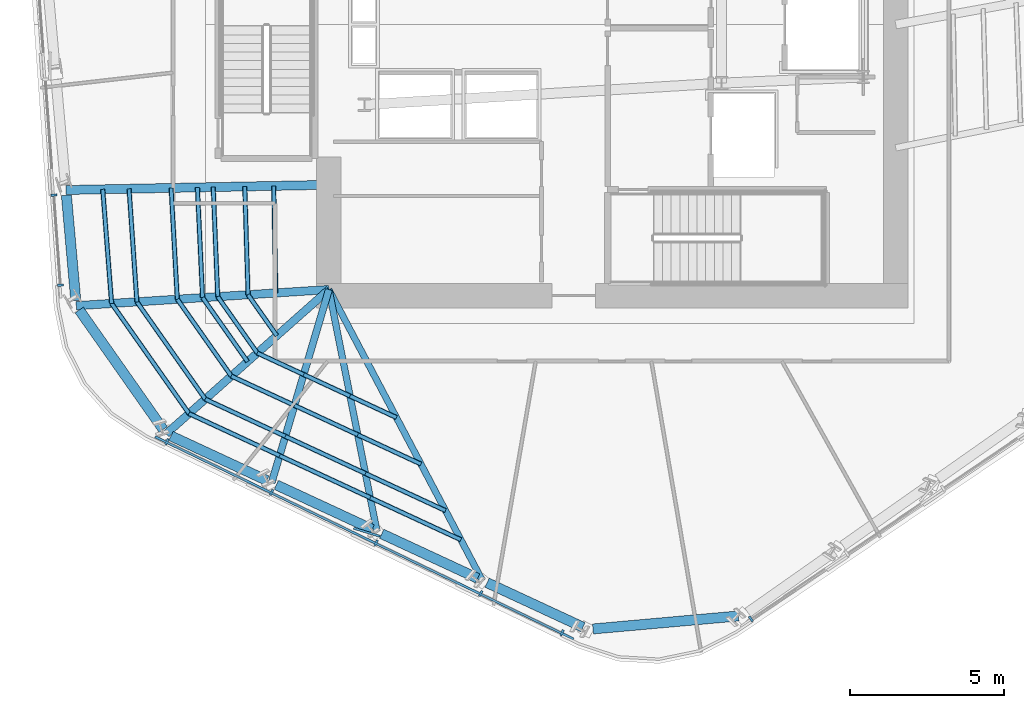
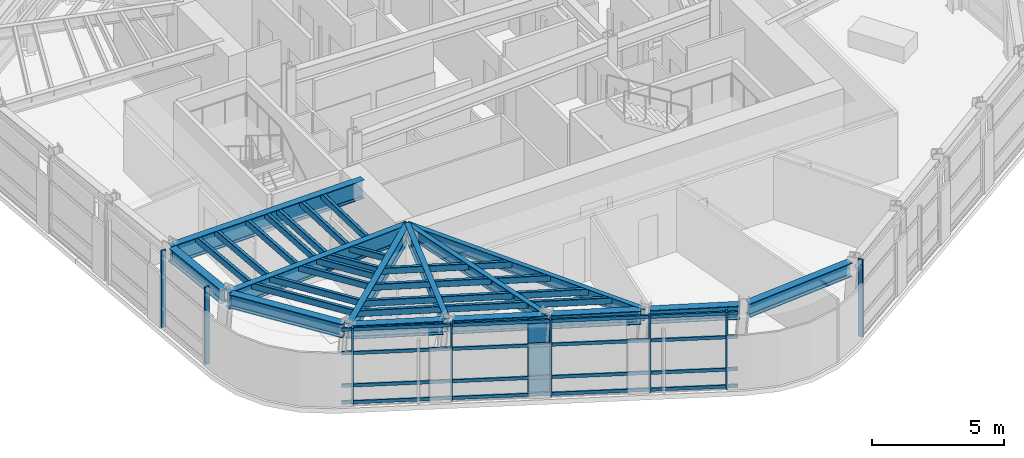
# One storey, part 2 of 15: 38 members, 13 beams, 3 elements without a shape of their own.
"""IFC4 building model written with IfcOpenShell, lengths in metres."""

import ifcopenshell
import ifcopenshell.guid

model = None  # the IFC model being written
_history = None  # IfcOwnerHistory: only IFC2X3 demands one
_inside = {}  # id of a spatial element -> (the spatial element, [elements in it])
_under = {}  # id of a project, library or spatial element -> (it, [spatial elements below it])
_declared = {}  # id of a project -> (the project, [libraries it declares])
_typed = {}  # id of a type object -> (the type object, [elements of that type])
_made_of = {}  # id of a material, layer set ... -> (it, [elements and type objects made of it])


def new_model(schema):
    """Start an empty IFC model of exactly this schema.

    Asked for "IFC4X3", IfcOpenShell would pick the latest addendum, in which some entities
    have other attributes; the version numbers below select the first issue.
    IFC2X3 requires an IfcOwnerHistory on every rooted entity: one is made here for all.
    """
    global model, _history
    if schema == "IFC4X3":
        model = ifcopenshell.file(schema_version=(4, 3, 0, 0))
    else:
        model = ifcopenshell.file(schema=schema)
    _inside.clear()
    _under.clear()
    _declared.clear()
    _typed.clear()
    _made_of.clear()
    _history = None
    if model.schema == "IFC2X3":
        org = make("IfcOrganization", Name="unknown")
        user = make(
            "IfcPersonAndOrganization",
            ThePerson=make("IfcPerson", FamilyName="unknown"),
            TheOrganization=org,
        )
        app = make(
            "IfcApplication",
            ApplicationDeveloper=org,
            Version="unknown",
            ApplicationFullName="unknown",
            ApplicationIdentifier="unknown",
        )
        _history = make(
            "IfcOwnerHistory",
            OwningUser=user,
            OwningApplication=app,
            ChangeAction="ADDED",
            CreationDate=0,
        )
    return model


def make(cls, **values):
    """One entity of the class cls with the attributes given. An attribute that is None is left unset."""
    return model.create_entity(
        cls, **{name: value for name, value in values.items() if value is not None}
    )


def rooted(cls, **values):
    """An entity with a GlobalId (a new one), such as an element, a storey or a relation."""
    return make(cls, GlobalId=ifcopenshell.guid.new(), OwnerHistory=_history, **values)


def si_unit(unit_type, name, prefix=None):
    """IfcSIUnit, for example si_unit("LENGTHUNIT", "METRE", prefix="MILLI")."""
    return make("IfcSIUnit", UnitType=unit_type, Prefix=prefix, Name=name)


def assignment(units):
    """IfcUnitAssignment: the units of a project."""
    return None if units is None else make("IfcUnitAssignment", Units=units)


def point(xyz):
    """IfcCartesianPoint."""
    return None if xyz is None else make("IfcCartesianPoint", Coordinates=xyz)


def direction(xyz):
    """IfcDirection."""
    return None if xyz is None else make("IfcDirection", DirectionRatios=xyz)


def frame(location, z_axis=None, x_axis=None):
    """IfcAxis2Placement3D, a coordinate frame: its origin and axes. An axis left out is left unset."""
    return make(
        "IfcAxis2Placement3D",
        Location=point(location),
        Axis=direction(z_axis),
        RefDirection=direction(x_axis),
    )


def frame_2d(location, x_axis=None):
    """IfcAxis2Placement2D, a coordinate frame in the plane: its origin and x axis."""
    return make(
        "IfcAxis2Placement2D", Location=point(location), RefDirection=direction(x_axis)
    )


def origin():
    """The frame at (0, 0, 0) with its axes left unset."""
    return frame((0.0, 0.0, 0.0))


def origin_2d():
    """The frame at (0, 0) in the plane with its x axis left unset."""
    return frame_2d((0.0, 0.0))


def place(relative_to, where):
    """IfcLocalPlacement: puts the frame where relative to a parent placement (None: the world)."""
    return make(
        "IfcLocalPlacement", PlacementRelTo=relative_to, RelativePlacement=where
    )


def context(
    kind, dimensions, precision=None, world=None, true_north=None, identifier=None
):
    """IfcGeometricRepresentationContext, for example the 3D "Model" context."""
    return make(
        "IfcGeometricRepresentationContext",
        ContextIdentifier=identifier,
        ContextType=kind,
        CoordinateSpaceDimension=dimensions,
        Precision=precision,
        WorldCoordinateSystem=world,
        TrueNorth=true_north,
    )


def subcontext(parent, identifier, kind, view, scale=None):
    """IfcGeometricRepresentationSubContext, for example "Body" below "Model"."""
    return make(
        "IfcGeometricRepresentationSubContext",
        ContextIdentifier=identifier,
        ContextType=kind,
        ParentContext=parent,
        TargetScale=scale,
        TargetView=view,
    )


def project(units=None, contexts=None):
    """IfcProject with its units and contexts."""
    return rooted(
        "IfcProject",
        Name="project",
        RepresentationContexts=contexts,
        UnitsInContext=assignment(units),
    )


def spatial(cls, under=None, at=None, **own):
    """A site, building, storey or space (cls), placed at a placement, below another one or the project."""
    s = rooted(cls, ObjectPlacement=at, **own)
    if under is not None:
        _under.setdefault(under.id(), (under, []))[1].append(s)
    return s


def profile(cls, at=None, kind="AREA", **sizes):
    """A parametric profile (cls). Its sizes go by their IFC names, for example OverallWidth=200.0."""
    return make(cls, ProfileType=kind, Position=at, **sizes)


def rectangle(**sizes):
    """IfcRectangleProfileDef."""
    return profile("IfcRectangleProfileDef", **sizes)


def hollow_rectangle(**sizes):
    """IfcRectangleHollowProfileDef."""
    return profile("IfcRectangleHollowProfileDef", **sizes)


def i_section(**sizes):
    """IfcIShapeProfileDef."""
    return profile("IfcIShapeProfileDef", **sizes)


def extrude(swept, where, along, depth):
    """IfcExtrudedAreaSolid: the profile swept, set in the frame where, extruded along a direction by depth."""
    return make(
        "IfcExtrudedAreaSolid",
        SweptArea=swept,
        Position=where,
        ExtrudedDirection=direction(along),
        Depth=depth,
    )


def shape(context_of_items, identifier, shape_type, items):
    """IfcShapeRepresentation: the items that make up one representation, for example the "Body"."""
    return make(
        "IfcShapeRepresentation",
        ContextOfItems=context_of_items,
        RepresentationIdentifier=identifier,
        RepresentationType=shape_type,
        Items=items,
    )


def material(Name=None, Category=None):
    """IfcMaterial."""
    return make("IfcMaterial", Name=Name, Category=Category)


def layer(
    of_material, thickness, ventilated=None, Name=None, Category=None, Priority=None
):
    """IfcMaterialLayer: one layer of a wall or slab, of a material (None: an air gap)."""
    return make(
        "IfcMaterialLayer",
        Material=of_material,
        LayerThickness=thickness,
        IsVentilated=ventilated,
        Name=Name,
        Category=Category,
        Priority=Priority,
    )


def layer_set(layers, Name=None):
    """IfcMaterialLayerSet."""
    return make("IfcMaterialLayerSet", MaterialLayers=layers, LayerSetName=Name)


def material_profile(
    of_material, cross_section, Name=None, Category=None, Priority=None
):
    """IfcMaterialProfile: a cross section and its material."""
    return make(
        "IfcMaterialProfile",
        Name=Name,
        Material=of_material,
        Profile=cross_section,
        Priority=Priority,
        Category=Category,
    )


def profile_set(profiles, Name=None, composite=None):
    """IfcMaterialProfileSet."""
    return make(
        "IfcMaterialProfileSet",
        Name=Name,
        MaterialProfiles=profiles,
        CompositeProfile=composite,
    )


def made_of(thing, what):
    """Note that an element or type object is made of a material, layer set ...; save() writes the relation."""
    if what is not None:
        _made_of.setdefault(what.id(), (what, []))[1].append(thing)
    return thing


def type_object(cls, material=None, **own):
    """A type object (cls), such as IfcWallType, which elements share."""
    return made_of(rooted(cls, **own), material)


def element(
    cls,
    number,
    at=None,
    inside=None,
    cuts=None,
    type_object=None,
    material=None,
    context=None,
    identifier="Body",
    shape_type=None,
    held_by="IfcProductDefinitionShape",
    body=None,
    shapes=None,
    **own,
):
    """One element of the class cls, such as IfcWall. Its Tag is "e" and its number.

    at: its placement. inside: the storey or other place that contains it. cuts: it is an
    opening in that element (IfcRelVoidsElement). A single representation is given by context,
    identifier, shape_type and body (its items); several are given by shapes. held_by: the class
    of the entity that holds the representations. save() writes the other relations.
    """
    e = rooted(cls, Tag="e%d" % number, ObjectPlacement=at, **own)
    if body is not None:
        shapes = [shape(context, identifier, shape_type, body)]
    if shapes is not None:
        e.Representation = make(held_by, Representations=shapes)
    if inside is not None:
        _inside.setdefault(inside.id(), (inside, []))[1].append(e)
    if cuts is not None:
        rooted(
            "IfcRelVoidsElement", RelatingBuildingElement=cuts, RelatedOpeningElement=e
        )
    if type_object is not None:
        _typed.setdefault(type_object.id(), (type_object, []))[1].append(e)
    return made_of(e, material)


def aggregate(whole, parts):
    """IfcRelAggregates: a whole, such as a stair, and the parts it consists of."""
    return rooted("IfcRelAggregates", RelatingObject=whole, RelatedObjects=parts)


def save(model, path):
    """Write the relations noted so far, then the file.

    IfcRelAggregates (storeys below a building ...), IfcRelContainedInSpatialStructure (elements
    in a storey), IfcRelDefinesByType, IfcRelAssociatesMaterial and IfcRelDeclares: one each for
    every whole, place, type object, material and project.
    """
    for whole, parts in _under.values():
        aggregate(whole, parts)
    for where, things in _inside.values():
        rooted(
            "IfcRelContainedInSpatialStructure",
            RelatedElements=things,
            RelatingStructure=where,
        )
    for kind, things in _typed.values():
        rooted("IfcRelDefinesByType", RelatedObjects=things, RelatingType=kind)
    for what, things in _made_of.values():
        rooted("IfcRelAssociatesMaterial", RelatedObjects=things, RelatingMaterial=what)
    for by, libraries in _declared.values():
        rooted("IfcRelDeclares", RelatingContext=by, RelatedDefinitions=libraries)
    model.write(path)


model = new_model("IFC4")

# Units and contexts
model_context = context("Model", 3, precision=1e-05, world=origin(), true_north=direction((0.0, 1.0)))
body_context = subcontext(model_context, "Body", "Model", "MODEL_VIEW")
ifc_project = project(units=[si_unit("LENGTHUNIT", "METRE"), si_unit("AREAUNIT", "SQUARE_METRE"), si_unit("VOLUMEUNIT", "CUBIC_METRE"), si_unit("PLANEANGLEUNIT", "RADIAN"), si_unit("MASSUNIT", "GRAM", prefix="KILO")], contexts=[model_context])

# Site, building, storey
site_placement = place(None, origin())
site = spatial("IfcSite", under=ifc_project, at=site_placement, CompositionType="ELEMENT")
building_placement = place(site_placement, origin())
building = spatial("IfcBuilding", under=site, at=building_placement, Name="Valkerne Bourse Tower", CompositionType="ELEMENT")
storey_placement = place(building_placement, frame((0.0, 0.0, 170.39990234375)))
storey = spatial("IfcBuildingStorey", under=building, at=storey_placement, Name="L43", CompositionType="ELEMENT", Elevation=170.39990234375)

# Beams
ifc_material_1 = material(Name="Steel ASTM A992", Category="steel")
ifc_material_profile_1 = material_profile(ifc_material_1, i_section(OverallWidth=0.209228515625, OverallDepth=0.533447265625, WebThickness=0.01025390625, FlangeThickness=0.015625, FilletRadius=0.017822265625, at=origin_2d()), Name="W21X62")
ifc_profile_set_1 = profile_set([ifc_material_profile_1], Name="Steel ASTM A992")
beam_type_1 = type_object("IfcBeamType", Name="BM-W21X62", PredefinedType="JOIST", material=ifc_profile_set_1)
beam_1_placement = place(storey_placement, frame((42.58154296875, 8.95556640625, 3.3134765625), z_axis=(-0.466534068259, 0.884503229589, 0.0), x_axis=(-0.884503229589, -0.466534068259, 0.0)))
element("IfcBeam", 1, at=beam_1_placement, inside=storey, type_object=beam_type_1, Name="L43 Radial Composite Floor Beam 18", PredefinedType="JOIST", context=body_context, shape_type="SweptSolid", body=[
    extrude(i_section(OverallWidth=0.209228515625, OverallDepth=0.533447265625, WebThickness=0.01025390625, FlangeThickness=0.015625, FilletRadius=0.017822265625, at=origin_2d()), origin(), (0.0, 0.0, 1.0), 10.677490234375),
])
ifc_material_profile_2 = material_profile(ifc_material_1, i_section(OverallWidth=0.2138671875, OverallDepth=0.548583984375, WebThickness=0.0146484375, FlangeThickness=0.023681640625, FilletRadius=0.017822265625, at=origin_2d()), Name="W21X93")
ifc_profile_set_2 = profile_set([ifc_material_profile_2], Name="Steel ASTM A992")
beam_type_2 = type_object("IfcBeamType", Name="BM-W21X93", PredefinedType="BEAM", material=ifc_profile_set_2)
beam_2_placement = place(storey_placement, frame((39.160888671875, 10.543212890625, 3.305908203125), z_axis=(-0.194849935926, 0.980833065547, 0.0), x_axis=(-0.980833065547, -0.194849935926, 0.0)))
element("IfcBeam", 2, at=beam_2_placement, inside=storey, type_object=beam_type_2, Name="L43 Radial Composite Floor Beam 17", PredefinedType="BEAM", context=body_context, shape_type="SweptSolid", body=[
    extrude(i_section(OverallWidth=0.2138671875, OverallDepth=0.548583984375, WebThickness=0.0146484375, FlangeThickness=0.023681640625, FilletRadius=0.017822265625, at=origin_2d()), origin(), (0.0, 0.0, 1.0), 8.01025390625),
])
ifc_material_profile_3 = material_profile(ifc_material_1, i_section(OverallWidth=0.32763671875, OverallDepth=0.62744140625, WebThickness=0.0166015625, FlangeThickness=0.027587890625, FilletRadius=0.020263671875, at=origin_2d()), Name="W24X146")
ifc_profile_set_3 = profile_set([ifc_material_profile_3], Name="Steel ASTM A992")
beam_type_3 = type_object("IfcBeamType", Name="BM-W24X146", PredefinedType="SPANDREL", material=ifc_profile_set_3)
beam_3_placement = place(storey_placement, frame((29.078857421875, 21.4619140625, 3.266357421875), z_axis=(0.088867652001, -0.996043443042, 0.0), x_axis=(0.996043443042, 0.088867652001, 0.0)))
element("IfcBeam", 3, at=beam_3_placement, inside=storey, type_object=beam_type_3, Name="L43 Hexagonal Spandrel Ring Beam 13", PredefinedType="SPANDREL", context=body_context, shape_type="SweptSolid", body=[
    extrude(i_section(OverallWidth=0.32763671875, OverallDepth=0.62744140625, WebThickness=0.0166015625, FlangeThickness=0.027587890625, FilletRadius=0.020263671875, at=origin_2d()), origin(), (0.0, 0.0, 1.0), 3.431396484375),
])
beam_4_placement = place(storey_placement, frame((29.496826171875, 17.73583984375, 3.266357421875), z_axis=(0.575023794599, -0.818136685185, 0.0), x_axis=(0.818136685185, 0.575023794599, 0.0)))
element("IfcBeam", 4, at=beam_4_placement, inside=storey, type_object=beam_type_3, Name="L43 Hexagonal Spandrel Ring Beam 14", PredefinedType="SPANDREL", context=body_context, shape_type="SweptSolid", body=[
    extrude(i_section(OverallWidth=0.32763671875, OverallDepth=0.62744140625, WebThickness=0.0166015625, FlangeThickness=0.027587890625, FilletRadius=0.020263671875, at=origin_2d()), origin(), (0.0, 0.0, 1.0), 4.739990234375),
])
for number, where, z_axis, x_axis, name in (
    (5, (32.474365234375, 13.647216796875, 3.266357421875), (0.907042938145, -0.421038131718, 0.0), (0.421038131718, 0.907042938145, 0.0), "L43 Hexagonal Spandrel Ring Beam 15"),
    (6, (35.894775390625, 12.059326171875, 3.266357421875), (0.907070112044, -0.420979586009, 0.0), (0.420979586009, 0.907070112044, 0.0), "L43 Hexagonal Spandrel Ring Beam 16"),
    (7, (39.315185546875, 10.4716796875, 3.266357421875), (0.907042938145, -0.421038131718, 0.0), (0.421038131718, 0.907042938145, 0.0), "L43 Hexagonal Spandrel Ring Beam 17"),
):
    element("IfcBeam", number, at=place(storey_placement, frame(where, z_axis=z_axis, x_axis=x_axis)), inside=storey, type_object=beam_type_3, Name=name, PredefinedType="SPANDREL", context=body_context, shape_type="SweptSolid", body=[
        extrude(i_section(OverallWidth=0.32763671875, OverallDepth=0.62744140625, WebThickness=0.0166015625, FlangeThickness=0.027587890625, FilletRadius=0.020263671875, at=origin_2d()), origin(), (0.0, 0.0, 1.0), 3.430908203125),
    ])
beam_5_placement = place(storey_placement, frame((42.735595703125, 8.884033203125, 3.266357421875), z_axis=(0.907055551212, -0.421010958309, 0.0), x_axis=(0.421010958309, 0.907055551212, 0.0)))
element("IfcBeam", 8, at=beam_5_placement, inside=storey, type_object=beam_type_3, Name="L43 Hexagonal Spandrel Ring Beam 18", PredefinedType="SPANDREL", context=body_context, shape_type="SweptSolid", body=[
    extrude(i_section(OverallWidth=0.32763671875, OverallDepth=0.62744140625, WebThickness=0.0166015625, FlangeThickness=0.027587890625, FilletRadius=0.020263671875, at=origin_2d()), origin(), (0.0, 0.0, 1.0), 3.43115234375),
])
beam_6_placement = place(storey_placement, frame((46.17138671875, 7.3828125, 3.266357421875), z_axis=(0.996040474896, 0.088900913211, 0.0), x_axis=(-0.088900913211, 0.996040474896, 0.0)))
element("IfcBeam", 9, at=beam_6_placement, inside=storey, type_object=beam_type_3, Name="L43 Hexagonal Spandrel Ring Beam 19", PredefinedType="SPANDREL", context=body_context, shape_type="SweptSolid", body=[
    extrude(i_section(OverallWidth=0.32763671875, OverallDepth=0.62744140625, WebThickness=0.0166015625, FlangeThickness=0.027587890625, FilletRadius=0.020263671875, at=origin_2d()), origin(), (0.0, 0.0, 1.0), 4.739990234375),
])
ifc_material_profile_4 = material_profile(ifc_material_1, i_section(OverallWidth=0.228271484375, OverallDepth=0.607177734375, WebThickness=0.01123046875, FlangeThickness=0.017333984375, FilletRadius=0.017822265625, at=origin_2d()), Name="W24X76")
ifc_profile_set_4 = profile_set([ifc_material_profile_4], Name="Steel ASTM A992")
beam_type_4 = type_object("IfcBeamType", Name="BM-W24X76", PredefinedType="JOIST", material=ifc_profile_set_4)
beam_7_placement = place(storey_placement, frame((35.740478515625, 12.131103515625, 3.276611328125), z_axis=(0.284397229419, 0.95870653273, 0.0), x_axis=(-0.95870653273, 0.284397229419, 0.0)))
element("IfcBeam", 10, at=beam_7_placement, inside=storey, type_object=beam_type_4, Name="L43 Radial Composite Floor Beam 16", PredefinedType="JOIST", context=body_context, shape_type="SweptSolid", body=[
    extrude(i_section(OverallWidth=0.228271484375, OverallDepth=0.607177734375, WebThickness=0.01123046875, FlangeThickness=0.017333984375, FilletRadius=0.017822265625, at=origin_2d()), origin(), (0.0, 0.0, 1.0), 6.538818359375),
])
ifc_material_profile_5 = material_profile(ifc_material_1, i_section(OverallWidth=0.255859375, OverallDepth=0.693359375, WebThickness=0.014404296875, FlangeThickness=0.023681640625, FilletRadius=0.02294921875, at=origin_2d()), Name="W27X114")
ifc_profile_set_5 = profile_set([ifc_material_profile_5], Name="Steel ASTM A992")
beam_type_5 = type_object("IfcBeamType", Name="BM-W27X114", PredefinedType="BEAM", material=ifc_profile_set_5)
beam_8_placement = place(storey_placement, frame((32.320068359375, 13.71875, 3.2333984375), z_axis=(0.748267697991, 0.663396903929, 0.0), x_axis=(-0.663396903929, 0.748267697991, 0.0)))
element("IfcBeam", 11, at=beam_8_placement, inside=storey, type_object=beam_type_5, Name="L43 Radial Composite Floor Beam 15", PredefinedType="BEAM", context=body_context, shape_type="SweptSolid", body=[
    extrude(i_section(OverallWidth=0.255859375, OverallDepth=0.693359375, WebThickness=0.014404296875, FlangeThickness=0.023681640625, FilletRadius=0.02294921875, at=origin_2d()), origin(), (0.0, 0.0, 1.0), 7.056396484375),
])
ifc_material_profile_6 = material_profile(ifc_material_1, i_section(OverallWidth=0.26806640625, OverallDepth=0.76953125, WebThickness=0.015625, FlangeThickness=0.025390625, FilletRadius=0.025390625, at=origin_2d()), Name="W30X132")
ifc_profile_set_6 = profile_set([ifc_material_profile_6], Name="Steel ASTM A992")
beam_type_6 = type_object("IfcBeamType", Name="BM-W30X132", PredefinedType="BEAM", material=ifc_profile_set_6)
beam_9_placement = place(storey_placement, frame((29.39892578125, 17.875, 3.1953125), z_axis=(0.997958057973, 0.063872643029, 0.0), x_axis=(-0.063872643029, 0.997958057973, 0.0)))
element("IfcBeam", 12, at=beam_9_placement, inside=storey, type_object=beam_type_6, Name="L43 Radial Composite Floor Beam 14", PredefinedType="BEAM", context=body_context, shape_type="SweptSolid", body=[
    extrude(i_section(OverallWidth=0.26806640625, OverallDepth=0.76953125, WebThickness=0.015625, FlangeThickness=0.025390625, FilletRadius=0.025390625, at=origin_2d()), origin(), (0.0, 0.0, 1.0), 8.218017578125),
])
ifc_material_profile_7 = material_profile(ifc_material_1, i_section(OverallWidth=0.2919921875, OverallDepth=0.8583984375, WebThickness=0.01708984375, FlangeThickness=0.031005859375, FilletRadius=0.025390625, at=origin_2d()), Name="W33X169")
ifc_profile_set_7 = profile_set([ifc_material_profile_7], Name="Steel ASTM A992")
beam_type_7 = type_object("IfcBeamType", Name="BM-W33X169", PredefinedType="BEAM", material=ifc_profile_set_7)
beam_10_placement = place(storey_placement, frame((29.063720703125, 21.631103515625, 3.15087890625), z_axis=(0.999804211324, 0.019787344895, 0.0), x_axis=(-0.019787344895, 0.999804211324, 0.0)))
element("IfcBeam", 13, at=beam_10_placement, inside=storey, type_object=beam_type_7, Name="L43 Radial Composite Floor Beam 13", PredefinedType="BEAM", context=body_context, shape_type="SweptSolid", body=[
    extrude(i_section(OverallWidth=0.2919921875, OverallDepth=0.8583984375, WebThickness=0.01708984375, FlangeThickness=0.031005859375, FilletRadius=0.025390625, at=origin_2d()), origin(), (0.0, 0.0, 1.0), 8.5380859375),
])

# Curtain wall, members
ifc_material_2 = material(Name="Aluminium AA 6063-T6", Category="aluminium")
ifc_layer = layer(ifc_material_2, 0.235107421875)
ifc_layer_set = layer_set([ifc_layer], Name="Aluminium AA 6063-T6")
curtain_wall_type = type_object("IfcCurtainWallType", Name="CW-03", PredefinedType="NOTDEFINED", material=ifc_layer_set)
curtain_wall_1_placement = place(storey_placement, origin())
curtain_wall_1 = element("IfcCurtainWall", 14, at=curtain_wall_1_placement, inside=storey, type_object=curtain_wall_type, Name="L43 Hexagonal Stick Curtain Wall Face 3", PredefinedType="NOTDEFINED")
ifc_material_profile_8 = material_profile(ifc_material_2, rectangle(XDim=0.074951171875, YDim=0.199951171875, at=origin_2d()), Name="CWM-75X200")
ifc_profile_set_8 = profile_set([ifc_material_profile_8], Name="Aluminium AA 6063-T6")
member_type_1 = type_object("IfcMemberType", Name="CW-MUL-220X75", PredefinedType="MULLION", material=ifc_profile_set_8)
member_1_placement = place(storey_placement, frame((28.67333984375, 21.466552734375, 0.0), z_axis=(0.0, 0.0, 1.0), x_axis=(0.07324455691, -0.997314010171, 0.0)))
member_1 = element("IfcMember", 15, at=member_1_placement, type_object=member_type_1, Name="CW-L43-F3 Jamb Mullion 03A", PredefinedType="MULLION", context=body_context, shape_type="SweptSolid", body=[
    extrude(rectangle(XDim=0.074951171875, YDim=0.199951171875, at=origin_2d()), origin(), (0.0, 0.0, 1.0), 3.580078125),
])
member_2_placement = place(storey_placement, frame((28.88818359375, 18.54345703125, 0.0), z_axis=(0.0, 0.0, 1.0), x_axis=(0.07324455691, -0.997314010171, 0.0)))
member_2 = element("IfcMember", 16, at=member_2_placement, type_object=member_type_1, Name="CW-L43-F3 Jamb Mullion 03B", PredefinedType="MULLION", context=body_context, shape_type="SweptSolid", body=[
    extrude(rectangle(XDim=0.074951171875, YDim=0.199951171875, at=origin_2d()), origin(), (0.0, 0.0, 1.0), 3.580078125),
])
aggregate(curtain_wall_1, [member_1, member_2])

curtain_wall_2_placement = place(storey_placement, origin())
curtain_wall_2 = element("IfcCurtainWall", 17, at=curtain_wall_2_placement, inside=storey, type_object=curtain_wall_type, Name="L43 Hexagonal Stick Curtain Wall Face 4", PredefinedType="NOTDEFINED")
member_3_placement = place(storey_placement, frame((32.343505859375, 13.458984375, 0.0), z_axis=(0.0, 0.0, 1.0), x_axis=(0.90032453496, -0.43521917668, 0.0)))
member_3 = element("IfcMember", 18, at=member_3_placement, type_object=member_type_1, Name="CW-L43-F4 Jamb Mullion 00A", PredefinedType="MULLION", context=body_context, shape_type="SweptSolid", body=[
    extrude(rectangle(XDim=0.074951171875, YDim=0.199951171875, at=origin_2d()), origin(), (0.0, 0.0, 1.0), 3.580078125),
])
member_4_placement = place(storey_placement, frame((35.738525390625, 11.817626953125, 0.0), z_axis=(0.0, 0.0, 1.0), x_axis=(0.900314143911, -0.435240671667, 0.0)))
member_4 = element("IfcMember", 19, at=member_4_placement, type_object=member_type_1, Name="CW-L43-F4 Jamb Mullion 01A", PredefinedType="MULLION", context=body_context, shape_type="SweptSolid", body=[
    extrude(rectangle(XDim=0.074951171875, YDim=0.199951171875, at=origin_2d()), origin(), (0.0, 0.0, 1.0), 3.580078125),
])
member_5_placement = place(storey_placement, frame((39.1337890625, 10.176513671875, 0.0), z_axis=(0.0, 0.0, 1.0), x_axis=(0.90032453496, -0.43521917668, 0.0)))
member_5 = element("IfcMember", 20, at=member_5_placement, type_object=member_type_1, Name="CW-L43-F4 Jamb Mullion 02A", PredefinedType="MULLION", context=body_context, shape_type="SweptSolid", body=[
    extrude(rectangle(XDim=0.074951171875, YDim=0.199951171875, at=origin_2d()), origin(), (0.0, 0.0, 1.0), 3.580078125),
])
member_6_placement = place(storey_placement, frame((42.52880859375, 8.53515625, 0.0), z_axis=(0.0, 0.0, 1.0), x_axis=(0.900314143911, -0.435240671667, 0.0)))
member_6 = element("IfcMember", 21, at=member_6_placement, type_object=member_type_1, Name="CW-L43-F4 Jamb Mullion 03A", PredefinedType="MULLION", context=body_context, shape_type="SweptSolid", body=[
    extrude(rectangle(XDim=0.074951171875, YDim=0.199951171875, at=origin_2d()), origin(), (0.0, 0.0, 1.0), 3.580078125),
])
member_7_placement = place(storey_placement, frame((45.16748046875, 7.259521484375, 0.0), z_axis=(0.0, 0.0, 1.0), x_axis=(0.900314143911, -0.435240671667, 0.0)))
member_7 = element("IfcMember", 22, at=member_7_placement, type_object=member_type_1, Name="CW-L43-F4 Jamb Mullion 03B", PredefinedType="MULLION", context=body_context, shape_type="SweptSolid", body=[
    extrude(rectangle(XDim=0.074951171875, YDim=0.199951171875, at=origin_2d()), origin(), (0.0, 0.0, 1.0), 3.580078125),
])

# Curtain wall, member
curtain_wall_3_placement = place(storey_placement, origin())
curtain_wall_3 = element("IfcCurtainWall", 23, at=curtain_wall_3_placement, inside=storey, type_object=curtain_wall_type, Name="L43 Hexagonal Stick Curtain Wall Face 5", PredefinedType="NOTDEFINED")
member_8_placement = place(storey_placement, frame((51.298583984375, 7.709716796875, 0.0), z_axis=(0.0, 0.0, 1.0), x_axis=(0.827080851805, 0.562082969478, 0.0)))
member_8 = element("IfcMember", 24, at=member_8_placement, type_object=member_type_1, Name="CW-L43-F5 Jamb Mullion 00A", PredefinedType="MULLION", context=body_context, shape_type="SweptSolid", body=[
    extrude(rectangle(XDim=0.074951171875, YDim=0.199951171875, at=origin_2d()), origin(), (0.0, 0.0, 1.0), 3.580078125),
])
aggregate(curtain_wall_3, [member_8])

# Member
ifc_material_profile_9 = material_profile(ifc_material_2, rectangle(XDim=0.074951171875, YDim=0.14990234375, at=origin_2d()), Name="CWT-75X150")
ifc_profile_set_9 = profile_set([ifc_material_profile_9], Name="Aluminium AA 6063-T6")
member_type_2 = type_object("IfcMemberType", Name="CW-TRN-180X65", PredefinedType="USERDEFINED", material=ifc_profile_set_9)
member_9_placement = place(storey_placement, frame((31.95654296875, 13.623779296875, 0.1201171875), z_axis=(0.900316609159, -0.435235572159, 0.0), x_axis=(0.435235572159, 0.900316609159, 0.0)))
member_9 = element("IfcMember", 25, at=member_9_placement, type_object=member_type_2, Name="CW-L43-F4 Continuous Face Transom 1", ObjectType="TRANSOM", PredefinedType="USERDEFINED", context=body_context, shape_type="SweptSolid", body=[
    extrude(rectangle(XDim=0.074951171875, YDim=0.14990234375, at=origin_2d()), origin(), (0.0, 0.0, 1.0), 15.084228515625),
])

member_10_placement = place(storey_placement, frame((31.95654296875, 13.623779296875, 0.900146484375), z_axis=(0.900316609159, -0.435235572159, 0.0), x_axis=(0.435235572159, 0.900316609159, 0.0)))
member_10 = element("IfcMember", 26, at=member_10_placement, type_object=member_type_2, Name="CW-L43-F4 Continuous Face Transom 2", ObjectType="TRANSOM", PredefinedType="USERDEFINED", context=body_context, shape_type="SweptSolid", body=[
    extrude(rectangle(XDim=0.074951171875, YDim=0.14990234375, at=origin_2d()), origin(), (0.0, 0.0, 1.0), 15.084228515625),
])

member_11_placement = place(storey_placement, frame((31.95654296875, 13.623779296875, 2.400146484375), z_axis=(0.900316609159, -0.435235572159, 0.0), x_axis=(0.435235572159, 0.900316609159, 0.0)))
member_11 = element("IfcMember", 27, at=member_11_placement, type_object=member_type_2, Name="CW-L43-F4 Continuous Face Transom 3", ObjectType="TRANSOM", PredefinedType="USERDEFINED", context=body_context, shape_type="SweptSolid", body=[
    extrude(rectangle(XDim=0.074951171875, YDim=0.14990234375, at=origin_2d()), origin(), (0.0, 0.0, 1.0), 15.084228515625),
])

member_12_placement = place(storey_placement, frame((31.95654296875, 13.623779296875, 3.5), z_axis=(0.900316609159, -0.435235572159, 0.0), x_axis=(0.435235572159, 0.900316609159, 0.0)))
member_12 = element("IfcMember", 28, at=member_12_placement, type_object=member_type_2, Name="CW-L43-F4 Continuous Face Transom 4", ObjectType="TRANSOM", PredefinedType="USERDEFINED", context=body_context, shape_type="SweptSolid", body=[
    extrude(rectangle(XDim=0.074951171875, YDim=0.14990234375, at=origin_2d()), origin(), (0.0, 0.0, 1.0), 15.084228515625),
])

aggregate(curtain_wall_2, [member_9, member_10, member_11, member_12, member_3, member_4, member_5, member_6, member_7])

# Members
ifc_material_3 = material(Name="Bronze Anodised Aluminium AA 6063-T6", Category="aluminium")
ifc_material_profile_10 = material_profile(ifc_material_3, rectangle(XDim=0.070068359375, YDim=0.89990234375, at=origin_2d()), Name="FIN-70X900")
ifc_profile_set_10 = profile_set([ifc_material_profile_10], Name="Bronze Anodised Aluminium AA 6063-T6")
member_type_3 = type_object("IfcMemberType", Name="FIN-SOLAR-900", PredefinedType="USERDEFINED", material=ifc_profile_set_10)
member_13_placement = place(storey_placement, frame((38.833984375, 10.521240234375, 0.004150390625), z_axis=(0.0, 0.0, 1.0), x_axis=(-0.29313436461, -0.956071254816, 0.0)))
element("IfcMember", 29, at=member_13_placement, inside=storey, type_object=member_type_3, Name="L43 Bronze Anodised Solar Fin F4-02", ObjectType="SOLAR_FIN", PredefinedType="USERDEFINED", context=body_context, shape_type="SweptSolid", body=[
    extrude(rectangle(XDim=0.070068359375, YDim=0.89990234375, at=origin_2d()), origin(), (0.0, 0.0, 1.0), 3.572021484375),
])
ifc_material_4 = material(Name="Steel ASTM A500 Grade C", Category="steel")
ifc_material_profile_11 = material_profile(ifc_material_4, hollow_rectangle(XDim=0.14990234375, YDim=0.300048828125, WallThickness=0.012451171875, OuterFilletRadius=0.02490234375, at=origin_2d()), Name="HSS300X150X12.5")
ifc_profile_set_11 = profile_set([ifc_material_profile_11], Name="Steel ASTM A500 Grade C")
member_type_4 = type_object("IfcMemberType", Name="MBR-HSS300X150X12.5", PredefinedType="PURLIN", material=ifc_profile_set_11)
member_14_placement = place(storey_placement, frame((34.868408203125, 21.74609375, 3.420166015625), z_axis=(0.030484644176, -0.999535235232, 0.0), x_axis=(0.999535235232, 0.030484644176, 0.0)))
element("IfcMember", 30, at=member_14_placement, inside=storey, type_object=member_type_4, Name="L43 Secondary Composite Floor Purlin I-13", PredefinedType="PURLIN", context=body_context, shape_type="SweptSolid", body=[
    extrude(hollow_rectangle(XDim=0.14990234375, YDim=0.300048828125, WallThickness=0.012451171875, OuterFilletRadius=0.02490234375, at=origin_2d()), origin(), (0.0, 0.0, 1.0), 3.515869140625),
])
member_15_placement = place(storey_placement, frame((34.9755859375, 18.23193359375, 3.420166015625), z_axis=(0.575084096131, -0.818094299196, 0.0), x_axis=(0.818094299196, 0.575084096131, 0.0)))
element("IfcMember", 31, at=member_15_placement, inside=storey, type_object=member_type_4, Name="L43 Secondary Composite Floor Purlin I-14", PredefinedType="PURLIN", context=body_context, shape_type="SweptSolid", body=[
    extrude(hollow_rectangle(XDim=0.14990234375, YDim=0.300048828125, WallThickness=0.012451171875, OuterFilletRadius=0.02490234375, at=origin_2d()), origin(), (0.0, 0.0, 1.0), 1.62548828125),
])
member_16_placement = place(storey_placement, frame((33.843994140625, 21.7255859375, 3.420166015625), z_axis=(0.04149361308, -0.999138769178, 0.0), x_axis=(0.999138769178, 0.04149361308, 0.0)))
element("IfcMember", 32, at=member_16_placement, inside=storey, type_object=member_type_4, Name="L43 Secondary Composite Floor Purlin K-13", PredefinedType="PURLIN", context=body_context, shape_type="SweptSolid", body=[
    extrude(hollow_rectangle(XDim=0.14990234375, YDim=0.300048828125, WallThickness=0.012451171875, OuterFilletRadius=0.02490234375, at=origin_2d()), origin(), (0.0, 0.0, 1.0), 3.559814453125),
])
member_17_placement = place(storey_placement, frame((33.99169921875, 18.1689453125, 3.420166015625), z_axis=(0.574949469027, -0.818188919545, 0.0), x_axis=(0.818188919545, 0.574949469027, 0.0)))
element("IfcMember", 33, at=member_17_placement, inside=storey, type_object=member_type_4, Name="L43 Secondary Composite Floor Purlin K-14", PredefinedType="PURLIN", context=body_context, shape_type="SweptSolid", body=[
    extrude(hollow_rectangle(XDim=0.14990234375, YDim=0.300048828125, WallThickness=0.012451171875, OuterFilletRadius=0.02490234375, at=origin_2d()), origin(), (0.0, 0.0, 1.0), 2.2353515625),
])
member_18_placement = place(storey_placement, frame((35.27685546875, 16.340087890625, 3.420166015625), z_axis=(0.907083215574, -0.420951351137, 0.0), x_axis=(0.420951351137, 0.907083215574, 0.0)))
element("IfcMember", 34, at=member_18_placement, inside=storey, type_object=member_type_4, Name="L43 Secondary Composite Floor Purlin K-15", PredefinedType="PURLIN", context=body_context, shape_type="SweptSolid", body=[
    extrude(hollow_rectangle(XDim=0.14990234375, YDim=0.300048828125, WallThickness=0.012451171875, OuterFilletRadius=0.02490234375, at=origin_2d()), origin(), (0.0, 0.0, 1.0), 1.659423828125),
])
member_19_placement = place(storey_placement, frame((36.781982421875, 15.6416015625, 3.420166015625), z_axis=(0.907057138142, -0.421007539297, 0.0), x_axis=(0.421007539297, 0.907057138142, 0.0)))
element("IfcMember", 35, at=member_19_placement, inside=storey, type_object=member_type_4, Name="L43 Secondary Composite Floor Purlin K-16", PredefinedType="PURLIN", context=body_context, shape_type="SweptSolid", body=[
    extrude(hollow_rectangle(XDim=0.14990234375, YDim=0.300048828125, WallThickness=0.012451171875, OuterFilletRadius=0.02490234375, at=origin_2d()), origin(), (0.0, 0.0, 1.0), 1.6591796875),
])
member_20_placement = place(storey_placement, frame((38.286865234375, 14.943115234375, 3.420166015625), z_axis=(0.907027029508, -0.42107240202, 0.0), x_axis=(0.42107240202, 0.907027029508, 0.0)))
element("IfcMember", 36, at=member_20_placement, inside=storey, type_object=member_type_4, Name="L43 Secondary Composite Floor Purlin K-17", PredefinedType="PURLIN", context=body_context, shape_type="SweptSolid", body=[
    extrude(hollow_rectangle(XDim=0.14990234375, YDim=0.300048828125, WallThickness=0.012451171875, OuterFilletRadius=0.02490234375, at=origin_2d()), origin(), (0.0, 0.0, 1.0), 1.659423828125),
])
member_21_placement = place(storey_placement, frame((33.331787109375, 21.715576171875, 3.420166015625), z_axis=(0.046823586299, -0.99890317437, 0.0), x_axis=(0.99890317437, 0.046823586299, 0.0)))
element("IfcMember", 37, at=member_21_placement, inside=storey, type_object=member_type_4, Name="L43 Secondary Composite Floor Purlin M-13", PredefinedType="PURLIN", context=body_context, shape_type="SweptSolid", body=[
    extrude(hollow_rectangle(XDim=0.14990234375, YDim=0.300048828125, WallThickness=0.012451171875, OuterFilletRadius=0.02490234375, at=origin_2d()), origin(), (0.0, 0.0, 1.0), 3.58203125),
])
member_22_placement = place(storey_placement, frame((33.49951171875, 18.137451171875, 3.420166015625), z_axis=(0.574983775671, -0.818164810851, 0.0), x_axis=(0.818164810851, 0.574983775671, 0.0)))
element("IfcMember", 38, at=member_22_placement, inside=storey, type_object=member_type_4, Name="L43 Secondary Composite Floor Purlin M-14", PredefinedType="PURLIN", context=body_context, shape_type="SweptSolid", body=[
    extrude(hollow_rectangle(XDim=0.14990234375, YDim=0.300048828125, WallThickness=0.012451171875, OuterFilletRadius=0.02490234375, at=origin_2d()), origin(), (0.0, 0.0, 1.0), 2.5400390625),
])
member_23_placement = place(storey_placement, frame((31.112548828125, 21.671630859375, 3.420166015625), z_axis=(0.069205145006, -0.997602449829, 0.0), x_axis=(0.997602449829, 0.069205145006, 0.0)))
element("IfcMember", 39, at=member_23_placement, inside=storey, type_object=member_type_4, Name="L43 Secondary Composite Floor Purlin O-13", PredefinedType="PURLIN", context=body_context, shape_type="SweptSolid", body=[
    extrude(hollow_rectangle(XDim=0.14990234375, YDim=0.300048828125, WallThickness=0.012451171875, OuterFilletRadius=0.02490234375, at=origin_2d()), origin(), (0.0, 0.0, 1.0), 3.679443359375),
])
member_24_placement = place(storey_placement, frame((31.3671875, 18.0009765625, 3.420166015625), z_axis=(0.575048479722, -0.818119334797, 0.0), x_axis=(0.818119334797, 0.575048479722, 0.0)))
element("IfcMember", 40, at=member_24_placement, inside=storey, type_object=member_type_4, Name="L43 Secondary Composite Floor Purlin O-14", PredefinedType="PURLIN", context=body_context, shape_type="SweptSolid", body=[
    extrude(hollow_rectangle(XDim=0.14990234375, YDim=0.300048828125, WallThickness=0.012451171875, OuterFilletRadius=0.02490234375, at=origin_2d()), origin(), (0.0, 0.0, 1.0), 3.86083984375),
])
member_25_placement = place(storey_placement, frame((33.58740234375, 14.84228515625, 3.420166015625), z_axis=(0.907032206313, -0.421061250545, 0.0), x_axis=(0.421061250545, 0.907032206313, 0.0)))
element("IfcMember", 41, at=member_25_placement, inside=storey, type_object=member_type_4, Name="L43 Secondary Composite Floor Purlin O-15", PredefinedType="PURLIN", context=body_context, shape_type="SweptSolid", body=[
    extrude(hollow_rectangle(XDim=0.14990234375, YDim=0.300048828125, WallThickness=0.012451171875, OuterFilletRadius=0.02490234375, at=origin_2d()), origin(), (0.0, 0.0, 1.0), 2.865966796875),
])
member_26_placement = place(storey_placement, frame((36.18701171875, 13.635498046875, 3.420166015625), z_axis=(0.907049638024, -0.42102369786, 0.0), x_axis=(0.42102369786, 0.907049638024, 0.0)))
element("IfcMember", 42, at=member_26_placement, inside=storey, type_object=member_type_4, Name="L43 Secondary Composite Floor Purlin O-16", PredefinedType="PURLIN", context=body_context, shape_type="SweptSolid", body=[
    extrude(hollow_rectangle(XDim=0.14990234375, YDim=0.300048828125, WallThickness=0.012451171875, OuterFilletRadius=0.02490234375, at=origin_2d()), origin(), (0.0, 0.0, 1.0), 2.86572265625),
])
member_27_placement = place(storey_placement, frame((38.786376953125, 12.428955078125, 3.420166015625), z_axis=(0.907064737663, -0.420991165809, 0.0), x_axis=(0.420991165809, 0.907064737663, 0.0)))
element("IfcMember", 43, at=member_27_placement, inside=storey, type_object=member_type_4, Name="L43 Secondary Composite Floor Purlin O-17", PredefinedType="PURLIN", context=body_context, shape_type="SweptSolid", body=[
    extrude(hollow_rectangle(XDim=0.14990234375, YDim=0.300048828125, WallThickness=0.012451171875, OuterFilletRadius=0.02490234375, at=origin_2d()), origin(), (0.0, 0.0, 1.0), 2.865966796875),
])
member_28_placement = place(storey_placement, frame((32.478271484375, 21.69873046875, 3.420166015625), z_axis=(0.05558209669, -0.998454120392, 0.0), x_axis=(0.998454120392, 0.05558209669, 0.0)))
element("IfcMember", 44, at=member_28_placement, inside=storey, type_object=member_type_4, Name="L43 Secondary Composite Floor Purlin Z-13", PredefinedType="PURLIN", context=body_context, shape_type="SweptSolid", body=[
    extrude(hollow_rectangle(XDim=0.14990234375, YDim=0.300048828125, WallThickness=0.012451171875, OuterFilletRadius=0.02490234375, at=origin_2d()), origin(), (0.0, 0.0, 1.0), 3.619384765625),
])
member_29_placement = place(storey_placement, frame((32.679443359375, 18.0849609375, 3.420166015625), z_axis=(0.575031017831, -0.81813160832, 0.0), x_axis=(0.81813160832, 0.575031017831, 0.0)))
element("IfcMember", 45, at=member_29_placement, inside=storey, type_object=member_type_4, Name="L43 Secondary Composite Floor Purlin Z-14", PredefinedType="PURLIN", context=body_context, shape_type="SweptSolid", body=[
    extrude(hollow_rectangle(XDim=0.14990234375, YDim=0.300048828125, WallThickness=0.012451171875, OuterFilletRadius=0.02490234375, at=origin_2d()), origin(), (0.0, 0.0, 1.0), 3.048095703125),
])
for number, where, z_axis, x_axis, name in (
    (46, (34.43212890625, 15.59130859375, 3.420166015625), (0.907041347601, -0.421041558213, 0.0), (0.421041558213, 0.907041347601, 0.0), "L43 Secondary Composite Floor Purlin Z-15"),
    (47, (36.484375, 14.638671875, 3.420166015625), (0.907041347601, -0.421041558213, 0.0), (0.421041558213, 0.907041347601, 0.0), "L43 Secondary Composite Floor Purlin Z-16"),
    (48, (38.53662109375, 13.68603515625, 3.420166015625), (0.907041347601, -0.421041558213, 0.0), (0.421041558213, 0.907041347601, 0.0), "L43 Secondary Composite Floor Purlin Z-17"),
):
    element("IfcMember", number, at=place(storey_placement, frame(where, z_axis=z_axis, x_axis=x_axis)), inside=storey, type_object=member_type_4, Name=name, PredefinedType="PURLIN", context=body_context, shape_type="SweptSolid", body=[
        extrude(hollow_rectangle(XDim=0.14990234375, YDim=0.300048828125, WallThickness=0.012451171875, OuterFilletRadius=0.02490234375, at=origin_2d()), origin(), (0.0, 0.0, 1.0), 2.262451171875),
    ])
member_30_placement = place(storey_placement, frame((35.807373046875, 21.764404296875, 3.420166015625), z_axis=(0.02023194563, -0.99979531324, 0.0), x_axis=(0.99979531324, 0.02023194563, 0.0)))
element("IfcMember", 49, at=member_30_placement, inside=storey, type_object=member_type_4, Name="L43 Secondary Composite Floor Purlin S-13", PredefinedType="PURLIN", context=body_context, shape_type="SweptSolid", body=[
    extrude(hollow_rectangle(XDim=0.14990234375, YDim=0.300048828125, WallThickness=0.012451171875, OuterFilletRadius=0.02490234375, at=origin_2d()), origin(), (0.0, 0.0, 1.0), 3.475341796875),
])
member_31_placement = place(storey_placement, frame((30.2587890625, 21.65478515625, 3.420166015625), z_axis=(0.077560268278, -0.996987665312, 0.0), x_axis=(0.996987665312, 0.077560268278, 0.0)))
element("IfcMember", 50, at=member_31_placement, inside=storey, type_object=member_type_4, Name="L43 Secondary Composite Floor Purlin T-13", PredefinedType="PURLIN", context=body_context, shape_type="SweptSolid", body=[
    extrude(hollow_rectangle(XDim=0.14990234375, YDim=0.300048828125, WallThickness=0.012451171875, OuterFilletRadius=0.02490234375, at=origin_2d()), origin(), (0.0, 0.0, 1.0), 3.717529296875),
])
member_32_placement = place(storey_placement, frame((30.547119140625, 17.948486328125, 3.420166015625), z_axis=(0.575010221514, -0.8181462248, 0.0), x_axis=(0.8181462248, 0.575010221514, 0.0)))
element("IfcMember", 51, at=member_32_placement, inside=storey, type_object=member_type_4, Name="L43 Secondary Composite Floor Purlin T-14", PredefinedType="PURLIN", context=body_context, shape_type="SweptSolid", body=[
    extrude(hollow_rectangle(XDim=0.14990234375, YDim=0.300048828125, WallThickness=0.012451171875, OuterFilletRadius=0.02490234375, at=origin_2d()), origin(), (0.0, 0.0, 1.0), 4.368896484375),
])
for number, where, z_axis, x_axis, name in (
    (52, (33.059326171875, 14.3740234375, 3.420166015625), (0.907071600469, -0.420976378938, 0.0), (0.420976378938, 0.907071600469, 0.0), "L43 Secondary Composite Floor Purlin T-15"),
    (53, (36.0009765625, 13.0087890625, 3.420166015625), (0.907029506029, -0.421067067333, 0.0), (0.421067067333, 0.907029506029, 0.0), "L43 Secondary Composite Floor Purlin T-16"),
):
    element("IfcMember", number, at=place(storey_placement, frame(where, z_axis=z_axis, x_axis=x_axis)), inside=storey, type_object=member_type_4, Name=name, PredefinedType="PURLIN", context=body_context, shape_type="SweptSolid", body=[
        extrude(hollow_rectangle(XDim=0.14990234375, YDim=0.300048828125, WallThickness=0.012451171875, OuterFilletRadius=0.02490234375, at=origin_2d()), origin(), (0.0, 0.0, 1.0), 3.242919921875),
    ])
member_33_placement = place(storey_placement, frame((38.9423828125, 11.643310546875, 3.420166015625), z_axis=(0.907042852441, -0.42103831635, 0.0), x_axis=(0.42103831635, 0.907042852441, 0.0)))
element("IfcMember", 54, at=member_33_placement, inside=storey, type_object=member_type_4, Name="L43 Secondary Composite Floor Purlin T-17", PredefinedType="PURLIN", context=body_context, shape_type="SweptSolid", body=[
    extrude(hollow_rectangle(XDim=0.14990234375, YDim=0.300048828125, WallThickness=0.012451171875, OuterFilletRadius=0.02490234375, at=origin_2d()), origin(), (0.0, 0.0, 1.0), 3.2431640625),
])

save(model, "model.ifc")
